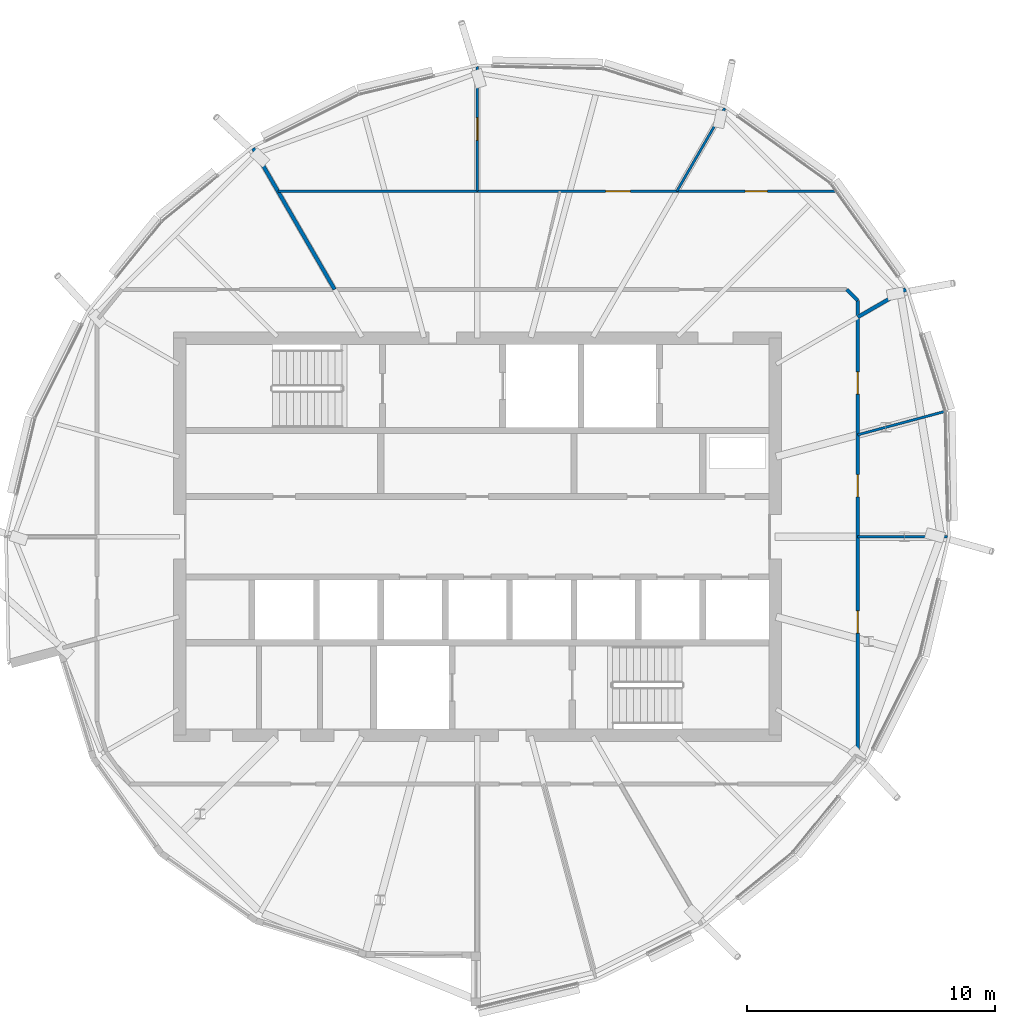
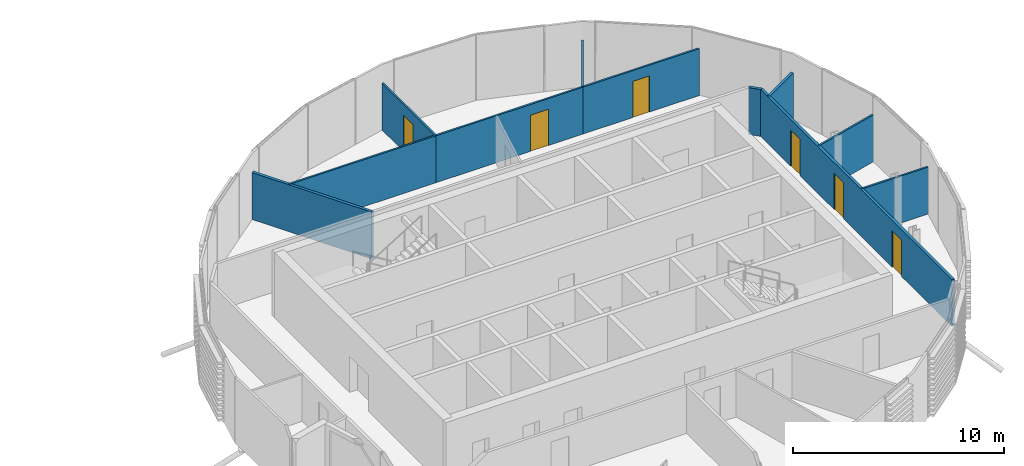
# One storey, part 23 of 36: 11 walls, 6 doors, 6 openings.
"""IFC4 building model written with IfcOpenShell, lengths in metres."""

from ifc_helpers import new_model, si_unit, direction, frame, frame_2d, origin, place, context, subcontext, project, spatial, rectangle, extrude, material, layer, layer_set, type_object, element, fill, save


model = new_model("IFC4")

# Units and contexts
model_context = context("Model", 3, precision=1e-05, world=origin(), true_north=direction((0.0, 1.0)))
body_context = subcontext(model_context, "Body", "Model", "MODEL_VIEW")
ifc_project = project(units=[si_unit("LENGTHUNIT", "METRE"), si_unit("AREAUNIT", "SQUARE_METRE"), si_unit("VOLUMEUNIT", "CUBIC_METRE"), si_unit("PLANEANGLEUNIT", "RADIAN"), si_unit("MASSUNIT", "GRAM", prefix="KILO")], contexts=[model_context])

# Site, building, storey
site_placement = place(None, origin())
site = spatial("IfcSite", under=ifc_project, at=site_placement, CompositionType="ELEMENT")
building_placement = place(site_placement, origin())
building = spatial("IfcBuilding", under=site, at=building_placement, Name="Rimbun Link Towers", CompositionType="ELEMENT")
storey_placement = place(building_placement, frame((0.0, 0.0, 248.5)))
storey = spatial("IfcBuildingStorey", under=building, at=storey_placement, Name="L61", CompositionType="ELEMENT", Elevation=248.5)

# Wall
ifc_material_1 = material(Name="Plasterboard on steel stud, mineral wool", Category="steel")
ifc_layer_1 = layer(ifc_material_1, 0.14990234375)
ifc_layer_set_1 = layer_set([ifc_layer_1], Name="Corridor wall EI 30 150 mm")
wall_type_1 = type_object("IfcWallType", Name="Corridor wall EI 30 150 mm", PredefinedType="PARTITIONING", material=ifc_layer_set_1)
wall_1_placement = place(storey_placement, frame((47.074951171875, 9.523681640625, 0.0), z_axis=(0.0, 0.0, 1.0), x_axis=(-0.706911150604, 0.70730235766, 0.0)))
element("IfcWall", 1, at=wall_1_placement, inside=storey, type_object=wall_type_1, Name="Corridor wall EI 30 150 mm", PredefinedType="PARTITIONING", context=body_context, shape_type="SweptSolid", body=[
    extrude(rectangle(XDim=0.6240234375, YDim=0.14990234375, at=frame_2d((0.31201171875, 0.0))), origin(), (0.0, 0.0, 1.0), 2.721923828125),
])

# Wall, openings, doors
wall_2_placement = place(storey_placement, frame((47.074951171875, 9.523681640625, 0.0), z_axis=(0.0, 0.0, 1.0), x_axis=(0.0, -1.0, 0.0)))
wall_2 = element("IfcWall", 2, at=wall_2_placement, inside=storey, type_object=wall_type_1, Name="Corridor wall EI 30 150 mm", PredefinedType="PARTITIONING", context=body_context, shape_type="SweptSolid", body=[
    extrude(rectangle(XDim=18.2158203125, YDim=0.14990234375, at=frame_2d((9.10791015625, 0.0))), origin(), (0.0, 0.0, 1.0), 2.721923828125),
])
opening_1_placement = place(wall_2_placement, frame((12.513671875, 0.0, 0.0)))
opening_1 = element("IfcOpeningElement", 3, at=opening_1_placement, cuts=wall_2, Name="Opening D02", PredefinedType="OPENING", context=body_context, shape_type="SweptSolid", body=[
    extrude(rectangle(XDim=0.89990234375, YDim=2.10009765625, at=frame_2d((0.449951171875, 1.050048828125))), frame((0.0, 0.0849609375, 0.0), z_axis=(0.0, -1.0, 0.0), x_axis=(1.0, 0.0, 0.0)), (0.0, 0.0, 1.0), 0.169921875),
])
opening_2_placement = place(wall_2_placement, frame((7.0205078125, 0.0, 0.0)))
opening_2 = element("IfcOpeningElement", 4, at=opening_2_placement, cuts=wall_2, Name="Opening D02", PredefinedType="OPENING", context=body_context, shape_type="SweptSolid", body=[
    extrude(rectangle(XDim=0.89990234375, YDim=2.10009765625, at=frame_2d((0.449951171875, 1.050048828125))), frame((0.0, 0.0849609375, 0.0), z_axis=(0.0, -1.0, 0.0), x_axis=(1.0, 0.0, 0.0)), (0.0, 0.0, 1.0), 0.169921875),
])
opening_3_placement = place(wall_2_placement, frame((2.880615234375, 0.0, 0.0)))
opening_3 = element("IfcOpeningElement", 5, at=opening_3_placement, cuts=wall_2, Name="Opening D02", PredefinedType="OPENING", context=body_context, shape_type="SweptSolid", body=[
    extrude(rectangle(XDim=0.89990234375, YDim=2.10009765625, at=frame_2d((0.449951171875, 1.050048828125))), frame((0.0, 0.0849609375, 0.0), z_axis=(0.0, -1.0, 0.0), x_axis=(1.0, 0.0, 0.0)), (0.0, 0.0, 1.0), 0.169921875),
])
ifc_material_2 = material(Name="Fire-resisting timber door leaf", Category="wood")
door_type_1 = type_object("IfcDoorType", Name="Fire door FD30S 900", OperationType="NOTDEFINED", PredefinedType="DOOR", material=ifc_material_2)
door_1_placement = place(opening_1_placement, origin())
door_1 = element("IfcDoor", 6, at=door_1_placement, inside=storey, type_object=door_type_1, Name="Fire door FD30S 900 to Print room", OperationType="SINGLE_SWING_RIGHT", OverallHeight=2.10009765625, OverallWidth=0.89990234375, PredefinedType="DOOR", context=body_context, shape_type="SweptSolid", body=[
    extrude(rectangle(XDim=0.89990234375, YDim=2.10009765625, at=frame_2d((0.449951171875, 1.050048828125))), frame((0.0, 0.02490234375, 0.0), z_axis=(0.0, -1.0, 0.0), x_axis=(1.0, 0.0, 0.0)), (0.0, 0.0, 1.0), 0.050048828125),
])
fill(opening_1, door_1)
door_2_placement = place(opening_2_placement, origin())
door_2 = element("IfcDoor", 7, at=door_2_placement, inside=storey, type_object=door_type_1, Name="Fire door FD30S 900 to Open office", OperationType="SINGLE_SWING_LEFT", OverallHeight=2.10009765625, OverallWidth=0.89990234375, PredefinedType="DOOR", context=body_context, shape_type="SweptSolid", body=[
    extrude(rectangle(XDim=0.89990234375, YDim=2.10009765625, at=frame_2d((0.449951171875, 1.050048828125))), frame((0.0, 0.02490234375, 0.0), z_axis=(0.0, -1.0, 0.0), x_axis=(1.0, 0.0, 0.0)), (0.0, 0.0, 1.0), 0.050048828125),
])
fill(opening_2, door_2)
door_3_placement = place(opening_3_placement, origin())
door_3 = element("IfcDoor", 8, at=door_3_placement, inside=storey, type_object=door_type_1, Name="Fire door FD30S 900 to Meeting room", OperationType="SINGLE_SWING_RIGHT", OverallHeight=2.10009765625, OverallWidth=0.89990234375, PredefinedType="DOOR", context=body_context, shape_type="SweptSolid", body=[
    extrude(rectangle(XDim=0.89990234375, YDim=2.10009765625, at=frame_2d((0.449951171875, 1.050048828125))), frame((0.0, 0.02490234375, 0.0), z_axis=(0.0, -1.0, 0.0), x_axis=(1.0, 0.0, 0.0)), (0.0, 0.0, 1.0), 0.050048828125),
])
fill(opening_3, door_3)

# Walls
ifc_material_3 = material(Name="Plasterboard on steel stud", Category="steel")
ifc_layer_2 = layer(ifc_material_3, 0.10009765625)
ifc_layer_set_2 = layer_set([ifc_layer_2], Name="Plasterboard partition 100 mm")
wall_type_2 = type_object("IfcWallType", Name="Plasterboard partition 100 mm", PredefinedType="PARTITIONING", material=ifc_layer_set_2)
wall_3_placement = place(storey_placement, frame((50.689208984375, 0.0, 0.0), z_axis=(0.0, 0.0, 1.0), x_axis=(-1.0, 0.0, 0.0)))
element("IfcWall", 9, at=wall_3_placement, inside=storey, type_object=wall_type_2, Name="Plasterboard partition 100 mm", PredefinedType="PARTITIONING", context=body_context, shape_type="SweptSolid", body=[
    extrude(rectangle(XDim=3.6142578125, YDim=0.10009765625, at=frame_2d((1.80712890625, 0.0))), origin(), (0.0, 0.0, 1.0), 2.721923828125),
])
wall_4_placement = place(storey_placement, frame((50.5830078125, 5.04638671875, 0.0), z_axis=(0.0, 0.0, 1.0), x_axis=(-0.965928547864, -0.258808887833, 0.0)))
element("IfcWall", 10, at=wall_4_placement, inside=storey, type_object=wall_type_2, Name="Plasterboard partition 100 mm", PredefinedType="PARTITIONING", context=body_context, shape_type="SweptSolid", body=[
    extrude(rectangle(XDim=3.6318359375, YDim=0.10009765625, at=frame_2d((1.81591796875, 0.0))), origin(), (0.0, 0.0, 1.0), 2.721923828125),
])

# Wall, opening, door
wall_5_placement = place(storey_placement, frame((39.78955078125, 13.925048828125, 0.0), z_axis=(0.0, 0.0, 1.0), x_axis=(1.0, 0.0, 0.0)))
wall_5 = element("IfcWall", 11, at=wall_5_placement, inside=storey, type_object=wall_type_2, Name="Plasterboard partition 100 mm", PredefinedType="PARTITIONING", context=body_context, shape_type="SweptSolid", body=[
    extrude(rectangle(XDim=6.38916015625, YDim=0.10009765625, at=frame_2d((3.194580078125, 0.0))), origin(), (0.0, 0.0, 1.0), 2.721923828125),
])
opening_4_placement = place(wall_5_placement, frame((2.74462890625, 0.0, 0.0)))
opening_4 = element("IfcOpeningElement", 12, at=opening_4_placement, cuts=wall_5, Name="Opening D04", PredefinedType="OPENING", context=body_context, shape_type="SweptSolid", body=[
    extrude(rectangle(XDim=0.89990234375, YDim=2.10009765625, at=frame_2d((0.449951171875, 1.050048828125))), frame((0.0, 0.06005859375, 0.0), z_axis=(0.0, -1.0, 0.0), x_axis=(1.0, 0.0, 0.0)), (0.0, 0.0, 1.0), 0.1201171875),
])
ifc_material_4 = material(Name="Timber door leaf", Category="wood")
door_type_2 = type_object("IfcDoorType", Name="Flush door 900", OperationType="NOTDEFINED", PredefinedType="DOOR", material=ifc_material_4)
door_4_placement = place(opening_4_placement, origin())
door_4 = element("IfcDoor", 13, at=door_4_placement, inside=storey, type_object=door_type_2, Name="Flush door 900 to Executive office", OperationType="SINGLE_SWING_RIGHT", OverallHeight=2.10009765625, OverallWidth=0.89990234375, PredefinedType="DOOR", context=body_context, shape_type="SweptSolid", body=[
    extrude(rectangle(XDim=0.89990234375, YDim=2.10009765625, at=frame_2d((0.449951171875, 1.050048828125))), frame((0.0, 0.02490234375, 0.0), z_axis=(0.0, -1.0, 0.0), x_axis=(1.0, 0.0, 0.0)), (0.0, 0.0, 1.0), 0.050048828125),
])
fill(opening_4, door_4)

wall_6_placement = place(storey_placement, frame((31.75, 13.925048828125, 0.0), z_axis=(0.0, 0.0, 1.0), x_axis=(1.0, 0.0, 0.0)))
wall_6 = element("IfcWall", 14, at=wall_6_placement, inside=storey, type_object=wall_type_2, Name="Plasterboard partition 100 mm", PredefinedType="PARTITIONING", context=body_context, shape_type="SweptSolid", body=[
    extrude(rectangle(XDim=8.03955078125, YDim=0.10009765625, at=frame_2d((4.019775390625, 0.0))), origin(), (0.0, 0.0, 1.0), 2.721923828125),
])
opening_5_placement = place(wall_6_placement, frame((5.16650390625, 0.0, 0.0)))
opening_5 = element("IfcOpeningElement", 15, at=opening_5_placement, cuts=wall_6, Name="Opening D03", PredefinedType="OPENING", context=body_context, shape_type="SweptSolid", body=[
    extrude(rectangle(XDim=1.0, YDim=2.10009765625, at=frame_2d((0.5, 1.050048828125))), frame((0.0, 0.06005859375, 0.0), z_axis=(0.0, -1.0, 0.0), x_axis=(1.0, 0.0, 0.0)), (0.0, 0.0, 1.0), 0.1201171875),
])
ifc_material_5 = material(Name="Timber door leaf", Category="wood")
door_type_3 = type_object("IfcDoorType", Name="Flush door 1000", OperationType="NOTDEFINED", PredefinedType="DOOR", material=ifc_material_5)
door_5_placement = place(opening_5_placement, origin())
door_5 = element("IfcDoor", 16, at=door_5_placement, inside=storey, type_object=door_type_3, Name="Flush door 1000 to Open office", OperationType="SINGLE_SWING_LEFT", OverallHeight=2.10009765625, OverallWidth=1.0, PredefinedType="DOOR", context=body_context, shape_type="SweptSolid", body=[
    extrude(rectangle(XDim=1.0, YDim=2.10009765625, at=frame_2d((0.5, 1.050048828125))), frame((0.0, 0.02490234375, 0.0), z_axis=(0.0, -1.0, 0.0), x_axis=(1.0, 0.0, 0.0)), (0.0, 0.0, 1.0), 0.050048828125),
])
fill(opening_5, door_5)

# Walls
wall_7_placement = place(storey_placement, frame((31.75, 13.925048828125, 0.0), z_axis=(0.0, 0.0, 1.0), x_axis=(-1.0, 0.0, 0.0)))
element("IfcWall", 17, at=wall_7_placement, inside=storey, type_object=wall_type_2, Name="Plasterboard partition 100 mm", PredefinedType="PARTITIONING", context=body_context, shape_type="SweptSolid", body=[
    extrude(rectangle(XDim=8.039794921875, YDim=0.10009765625, at=frame_2d((4.02001953125, 0.0))), origin(), (0.0, 0.0, 1.0), 2.721923828125),
])
wall_8_placement = place(storey_placement, frame((41.71923828125, 17.267333984375, 0.0), z_axis=(0.0, 0.0, 1.0), x_axis=(-0.500003549559, -0.866023354436, 0.0)))
element("IfcWall", 18, at=wall_8_placement, inside=storey, type_object=wall_type_2, Name="Plasterboard partition 100 mm", PredefinedType="PARTITIONING", context=body_context, shape_type="SweptSolid", body=[
    extrude(rectangle(XDim=3.859375, YDim=0.10009765625, at=frame_2d((1.9296875, 0.0))), origin(), (0.0, 0.0, 1.0), 2.721923828125),
])

# Wall, opening, door
wall_9_placement = place(storey_placement, frame((31.75, 13.925048828125, 0.0), z_axis=(0.0, 0.0, 1.0), x_axis=(0.0, 1.0, 0.0)))
wall_9 = element("IfcWall", 19, at=wall_9_placement, inside=storey, type_object=wall_type_2, Name="Plasterboard partition 100 mm", PredefinedType="PARTITIONING", context=body_context, shape_type="SweptSolid", body=[
    extrude(rectangle(XDim=5.01416015625, YDim=0.10009765625, at=frame_2d((2.507080078125, 0.0))), origin(), (0.0, 0.0, 1.0), 2.721923828125),
])
opening_6_placement = place(wall_9_placement, frame((2.05712890625, 0.0, 0.0)))
opening_6 = element("IfcOpeningElement", 20, at=opening_6_placement, cuts=wall_9, Name="Opening D04", PredefinedType="OPENING", context=body_context, shape_type="SweptSolid", body=[
    extrude(rectangle(XDim=0.89990234375, YDim=2.10009765625, at=frame_2d((0.449951171875, 1.050048828125))), frame((0.0, 0.06005859375, 0.0), z_axis=(0.0, -1.0, 0.0), x_axis=(1.0, 0.0, 0.0)), (0.0, 0.0, 1.0), 0.1201171875),
])
door_6_placement = place(opening_6_placement, origin())
door_6 = element("IfcDoor", 21, at=door_6_placement, inside=storey, type_object=door_type_2, Name="Flush door 900 to Boardroom", OperationType="SINGLE_SWING_RIGHT", OverallHeight=2.10009765625, OverallWidth=0.89990234375, PredefinedType="DOOR", context=body_context, shape_type="SweptSolid", body=[
    extrude(rectangle(XDim=0.89990234375, YDim=2.10009765625, at=frame_2d((0.449951171875, 1.050048828125))), frame((0.0, 0.02490234375, 0.0), z_axis=(0.0, -1.0, 0.0), x_axis=(1.0, 0.0, 0.0)), (0.0, 0.0, 1.0), 0.050048828125),
])
fill(opening_6, door_6)

# Walls
ifc_material_6 = material(Name="Plasterboard on steel stud, mineral wool", Category="steel")
ifc_layer_3 = layer(ifc_material_6, 0.14990234375)
ifc_layer_set_3 = layer_set([ifc_layer_3], Name="Tenancy separation wall EI 60 150 mm")
wall_type_3 = type_object("IfcWallType", Name="Tenancy separation wall EI 60 150 mm", PredefinedType="PARTITIONING", material=ifc_layer_set_3)
wall_10_placement = place(storey_placement, frame((25.99658203125, 9.965087890625, 0.0), z_axis=(0.0, 0.0, 1.0), x_axis=(-0.499995874514, 0.866027785622, 0.0)))
element("IfcWall", 22, at=wall_10_placement, inside=storey, type_object=wall_type_3, Name="Tenancy separation wall EI 60 150 mm", PredefinedType="PARTITIONING", context=body_context, shape_type="SweptSolid", body=[
    extrude(rectangle(XDim=6.56982421875, YDim=0.14990234375, at=frame_2d((3.284912109375, 0.0))), origin(), (0.0, 0.0, 1.0), 2.721923828125),
])
wall_11_placement = place(storey_placement, frame((47.074951171875, 8.847900390625, 0.0), z_axis=(0.0, 0.0, 1.0), x_axis=(0.866044197965, 0.499967446111, 0.0)))
element("IfcWall", 23, at=wall_11_placement, inside=storey, type_object=wall_type_3, Name="Tenancy separation wall EI 60 150 mm", PredefinedType="PARTITIONING", context=body_context, shape_type="SweptSolid", body=[
    extrude(rectangle(XDim=2.242919921875, YDim=0.14990234375, at=frame_2d((1.12158203125, 0.0))), origin(), (0.0, 0.0, 1.0), 2.721923828125),
])

save(model, "model.ifc")
